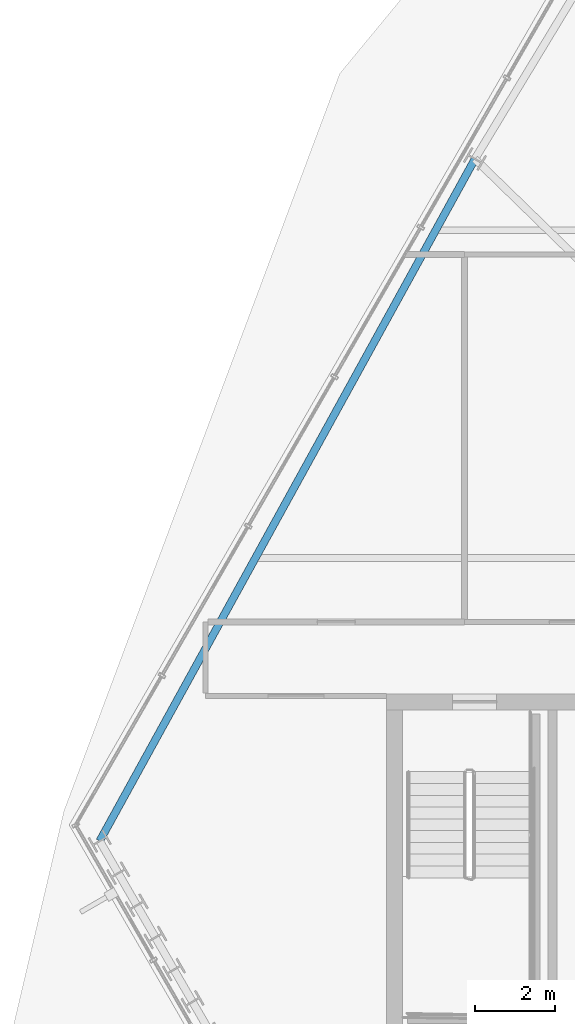
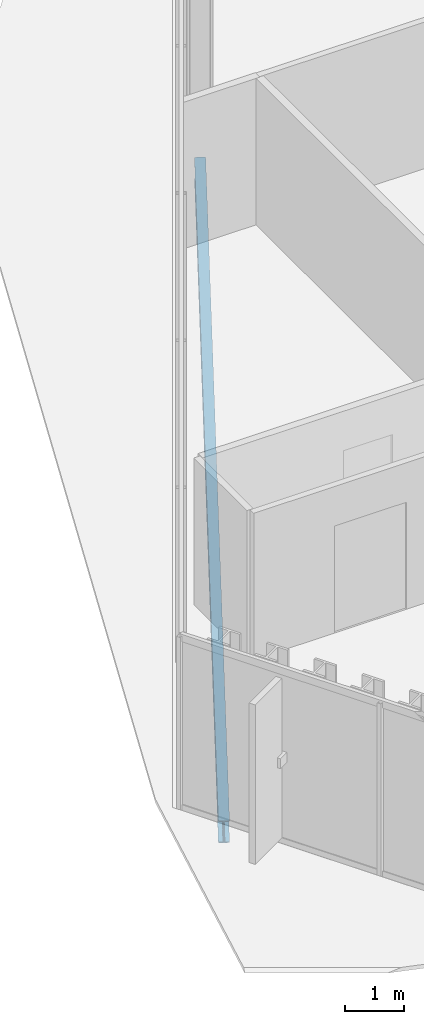
# One storey, part 11 of 37: 1 beam.
"""IFC4 building model written with IfcOpenShell, lengths in metres."""

from ifc_helpers import new_model, si_unit, direction, frame, origin, origin_2d, place, context, subcontext, project, spatial, i_section, extrude, material, material_profile, profile_set, type_object, element, save


model = new_model("IFC4")

# Units and contexts
model_context = context("Model", 3, precision=1e-05, world=origin(), true_north=direction((0.0, 1.0)))
body_context = subcontext(model_context, "Body", "Model", "MODEL_VIEW")
ifc_project = project(units=[si_unit("LENGTHUNIT", "METRE"), si_unit("AREAUNIT", "SQUARE_METRE"), si_unit("VOLUMEUNIT", "CUBIC_METRE"), si_unit("PLANEANGLEUNIT", "RADIAN"), si_unit("MASSUNIT", "GRAM", prefix="KILO")], contexts=[model_context])

# Site, building, storey
site_placement = place(None, origin())
site = spatial("IfcSite", under=ifc_project, at=site_placement, CompositionType="ELEMENT")
building_placement = place(site_placement, origin())
building = spatial("IfcBuilding", under=site, at=building_placement, Name="Ndaravel Arena Tower", CompositionType="ELEMENT")
storey_placement = place(building_placement, frame((0.0, 0.0, 218.0)))
storey = spatial("IfcBuildingStorey", under=building, at=storey_placement, Name="L52", CompositionType="ELEMENT", Elevation=218.0)

# Beam
ifc_material = material(Name="Steel S355", Category="steel")
ifc_material_profile = material_profile(ifc_material, i_section(OverallWidth=0.18994140625, OverallDepth=0.449951171875, WebThickness=0.009521484375, FlangeThickness=0.0146484375, FilletRadius=0.02099609375, at=origin_2d()), Name="IPE 450")
ifc_profile_set = profile_set([ifc_material_profile], Name="Steel S355")
beam_type = type_object("IfcBeamType", Name="BM-SPAN-IPE450", PredefinedType="SPANDREL", material=ifc_profile_set)
beam_placement = place(storey_placement, frame((28.65869140625, 28.587890625, -0.445068359375), z_axis=(-0.482016386815, -0.876162201217, 0.0), x_axis=(0.876162201217, -0.482016386815, 0.0)))
element("IfcBeam", 1, at=beam_placement, inside=storey, type_object=beam_type, Name="L52 Perimeter Spandrel Beam SP-19", PredefinedType="SPANDREL", context=body_context, shape_type="SweptSolid", body=[
    extrude(i_section(OverallWidth=0.18994140625, OverallDepth=0.449951171875, WebThickness=0.009521484375, FlangeThickness=0.0146484375, FilletRadius=0.02099609375, at=origin_2d()), origin(), (0.0, 0.0, 1.0), 19.485107421875),
])

save(model, "model.ifc")
